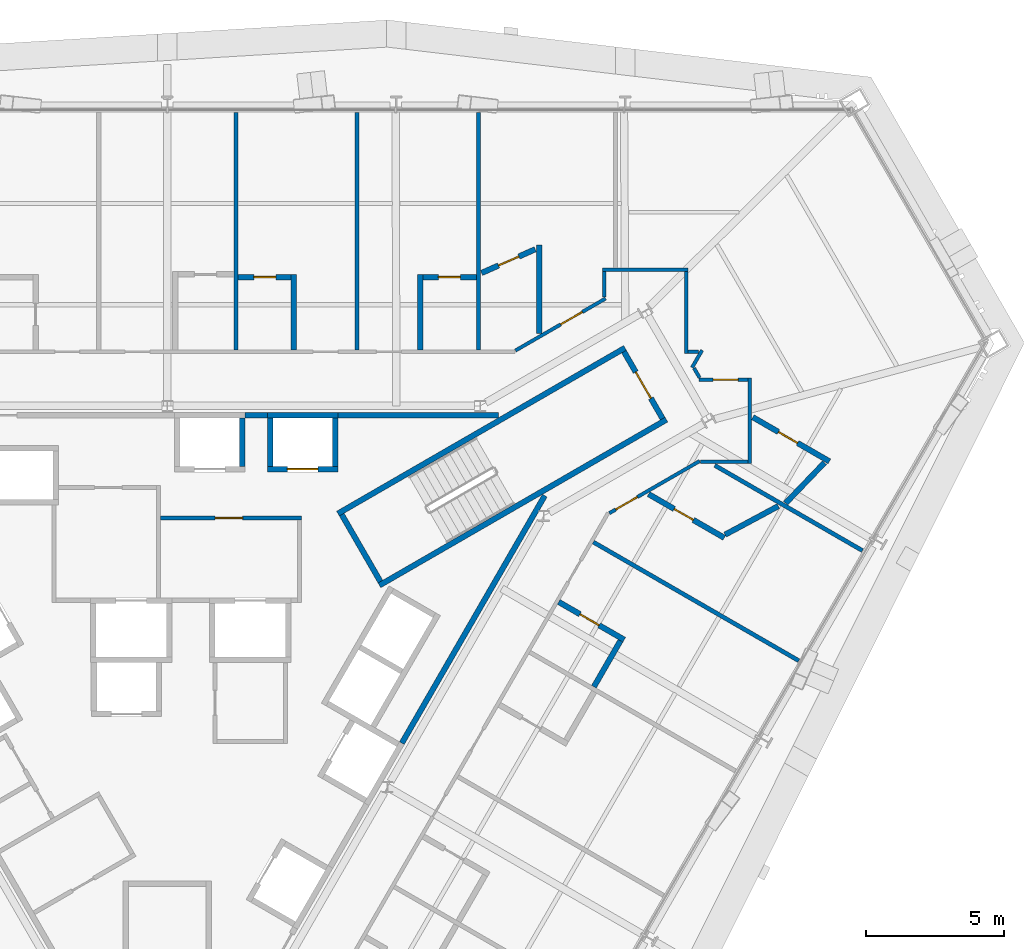
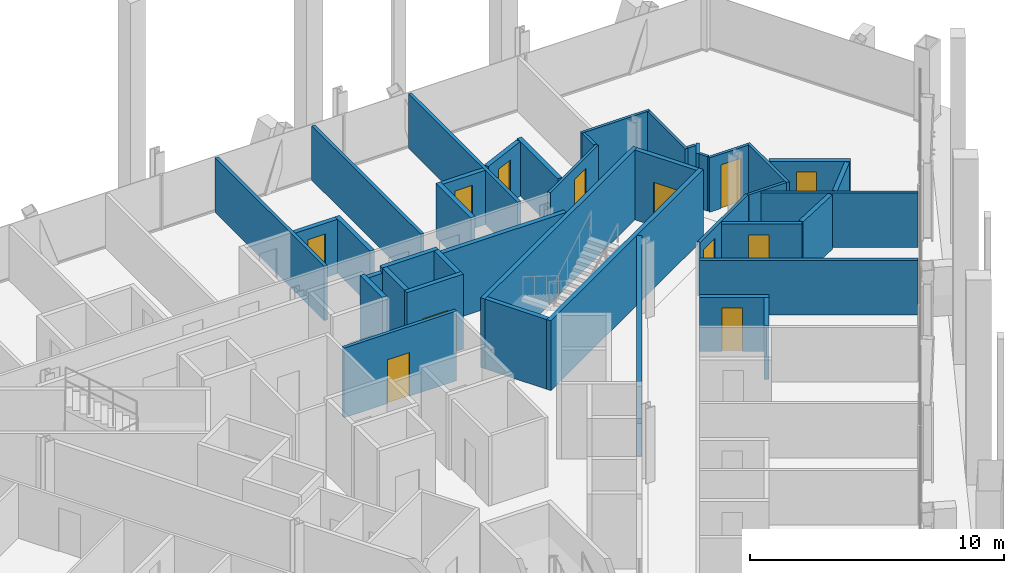
# One storey, part 14 of 17: 41 walls, 12 doors, 12 openings.
"""IFC4 building model written with IfcOpenShell, lengths in metres."""

import ifcopenshell
import ifcopenshell.guid

model = None  # the IFC model being written
_history = None  # IfcOwnerHistory: only IFC2X3 demands one
_inside = {}  # id of a spatial element -> (the spatial element, [elements in it])
_under = {}  # id of a project, library or spatial element -> (it, [spatial elements below it])
_declared = {}  # id of a project -> (the project, [libraries it declares])
_typed = {}  # id of a type object -> (the type object, [elements of that type])
_made_of = {}  # id of a material, layer set ... -> (it, [elements and type objects made of it])


def new_model(schema):
    """Start an empty IFC model of exactly this schema.

    Asked for "IFC4X3", IfcOpenShell would pick the latest addendum, in which some entities
    have other attributes; the version numbers below select the first issue.
    IFC2X3 requires an IfcOwnerHistory on every rooted entity: one is made here for all.
    """
    global model, _history
    if schema == "IFC4X3":
        model = ifcopenshell.file(schema_version=(4, 3, 0, 0))
    else:
        model = ifcopenshell.file(schema=schema)
    _inside.clear()
    _under.clear()
    _declared.clear()
    _typed.clear()
    _made_of.clear()
    _history = None
    if model.schema == "IFC2X3":
        org = make("IfcOrganization", Name="unknown")
        user = make(
            "IfcPersonAndOrganization",
            ThePerson=make("IfcPerson", FamilyName="unknown"),
            TheOrganization=org,
        )
        app = make(
            "IfcApplication",
            ApplicationDeveloper=org,
            Version="unknown",
            ApplicationFullName="unknown",
            ApplicationIdentifier="unknown",
        )
        _history = make(
            "IfcOwnerHistory",
            OwningUser=user,
            OwningApplication=app,
            ChangeAction="ADDED",
            CreationDate=0,
        )
    return model


def make(cls, **values):
    """One entity of the class cls with the attributes given. An attribute that is None is left unset."""
    return model.create_entity(
        cls, **{name: value for name, value in values.items() if value is not None}
    )


def rooted(cls, **values):
    """An entity with a GlobalId (a new one), such as an element, a storey or a relation."""
    return make(cls, GlobalId=ifcopenshell.guid.new(), OwnerHistory=_history, **values)


def si_unit(unit_type, name, prefix=None):
    """IfcSIUnit, for example si_unit("LENGTHUNIT", "METRE", prefix="MILLI")."""
    return make("IfcSIUnit", UnitType=unit_type, Prefix=prefix, Name=name)


def assignment(units):
    """IfcUnitAssignment: the units of a project."""
    return None if units is None else make("IfcUnitAssignment", Units=units)


def point(xyz):
    """IfcCartesianPoint."""
    return None if xyz is None else make("IfcCartesianPoint", Coordinates=xyz)


def direction(xyz):
    """IfcDirection."""
    return None if xyz is None else make("IfcDirection", DirectionRatios=xyz)


def frame(location, z_axis=None, x_axis=None):
    """IfcAxis2Placement3D, a coordinate frame: its origin and axes. An axis left out is left unset."""
    return make(
        "IfcAxis2Placement3D",
        Location=point(location),
        Axis=direction(z_axis),
        RefDirection=direction(x_axis),
    )


def frame_2d(location, x_axis=None):
    """IfcAxis2Placement2D, a coordinate frame in the plane: its origin and x axis."""
    return make(
        "IfcAxis2Placement2D", Location=point(location), RefDirection=direction(x_axis)
    )


def origin():
    """The frame at (0, 0, 0) with its axes left unset."""
    return frame((0.0, 0.0, 0.0))


def place(relative_to, where):
    """IfcLocalPlacement: puts the frame where relative to a parent placement (None: the world)."""
    return make(
        "IfcLocalPlacement", PlacementRelTo=relative_to, RelativePlacement=where
    )


def context(
    kind, dimensions, precision=None, world=None, true_north=None, identifier=None
):
    """IfcGeometricRepresentationContext, for example the 3D "Model" context."""
    return make(
        "IfcGeometricRepresentationContext",
        ContextIdentifier=identifier,
        ContextType=kind,
        CoordinateSpaceDimension=dimensions,
        Precision=precision,
        WorldCoordinateSystem=world,
        TrueNorth=true_north,
    )


def subcontext(parent, identifier, kind, view, scale=None):
    """IfcGeometricRepresentationSubContext, for example "Body" below "Model"."""
    return make(
        "IfcGeometricRepresentationSubContext",
        ContextIdentifier=identifier,
        ContextType=kind,
        ParentContext=parent,
        TargetScale=scale,
        TargetView=view,
    )


def project(units=None, contexts=None):
    """IfcProject with its units and contexts."""
    return rooted(
        "IfcProject",
        Name="project",
        RepresentationContexts=contexts,
        UnitsInContext=assignment(units),
    )


def spatial(cls, under=None, at=None, **own):
    """A site, building, storey or space (cls), placed at a placement, below another one or the project."""
    s = rooted(cls, ObjectPlacement=at, **own)
    if under is not None:
        _under.setdefault(under.id(), (under, []))[1].append(s)
    return s


def profile(cls, at=None, kind="AREA", **sizes):
    """A parametric profile (cls). Its sizes go by their IFC names, for example OverallWidth=200.0."""
    return make(cls, ProfileType=kind, Position=at, **sizes)


def rectangle(**sizes):
    """IfcRectangleProfileDef."""
    return profile("IfcRectangleProfileDef", **sizes)


def extrude(swept, where, along, depth):
    """IfcExtrudedAreaSolid: the profile swept, set in the frame where, extruded along a direction by depth."""
    return make(
        "IfcExtrudedAreaSolid",
        SweptArea=swept,
        Position=where,
        ExtrudedDirection=direction(along),
        Depth=depth,
    )


def shape(context_of_items, identifier, shape_type, items):
    """IfcShapeRepresentation: the items that make up one representation, for example the "Body"."""
    return make(
        "IfcShapeRepresentation",
        ContextOfItems=context_of_items,
        RepresentationIdentifier=identifier,
        RepresentationType=shape_type,
        Items=items,
    )


def material(Name=None, Category=None):
    """IfcMaterial."""
    return make("IfcMaterial", Name=Name, Category=Category)


def layer(
    of_material, thickness, ventilated=None, Name=None, Category=None, Priority=None
):
    """IfcMaterialLayer: one layer of a wall or slab, of a material (None: an air gap)."""
    return make(
        "IfcMaterialLayer",
        Material=of_material,
        LayerThickness=thickness,
        IsVentilated=ventilated,
        Name=Name,
        Category=Category,
        Priority=Priority,
    )


def layer_set(layers, Name=None):
    """IfcMaterialLayerSet."""
    return make("IfcMaterialLayerSet", MaterialLayers=layers, LayerSetName=Name)


def made_of(thing, what):
    """Note that an element or type object is made of a material, layer set ...; save() writes the relation."""
    if what is not None:
        _made_of.setdefault(what.id(), (what, []))[1].append(thing)
    return thing


def type_object(cls, material=None, **own):
    """A type object (cls), such as IfcWallType, which elements share."""
    return made_of(rooted(cls, **own), material)


def element(
    cls,
    number,
    at=None,
    inside=None,
    cuts=None,
    type_object=None,
    material=None,
    context=None,
    identifier="Body",
    shape_type=None,
    held_by="IfcProductDefinitionShape",
    body=None,
    shapes=None,
    **own,
):
    """One element of the class cls, such as IfcWall. Its Tag is "e" and its number.

    at: its placement. inside: the storey or other place that contains it. cuts: it is an
    opening in that element (IfcRelVoidsElement). A single representation is given by context,
    identifier, shape_type and body (its items); several are given by shapes. held_by: the class
    of the entity that holds the representations. save() writes the other relations.
    """
    e = rooted(cls, Tag="e%d" % number, ObjectPlacement=at, **own)
    if body is not None:
        shapes = [shape(context, identifier, shape_type, body)]
    if shapes is not None:
        e.Representation = make(held_by, Representations=shapes)
    if inside is not None:
        _inside.setdefault(inside.id(), (inside, []))[1].append(e)
    if cuts is not None:
        rooted(
            "IfcRelVoidsElement", RelatingBuildingElement=cuts, RelatedOpeningElement=e
        )
    if type_object is not None:
        _typed.setdefault(type_object.id(), (type_object, []))[1].append(e)
    return made_of(e, material)


def fill(opening, filler):
    """IfcRelFillsElement: the door or window that sits in an opening."""
    return rooted(
        "IfcRelFillsElement",
        RelatingOpeningElement=opening,
        RelatedBuildingElement=filler,
    )


def aggregate(whole, parts):
    """IfcRelAggregates: a whole, such as a stair, and the parts it consists of."""
    return rooted("IfcRelAggregates", RelatingObject=whole, RelatedObjects=parts)


def save(model, path):
    """Write the relations noted so far, then the file.

    IfcRelAggregates (storeys below a building ...), IfcRelContainedInSpatialStructure (elements
    in a storey), IfcRelDefinesByType, IfcRelAssociatesMaterial and IfcRelDeclares: one each for
    every whole, place, type object, material and project.
    """
    for whole, parts in _under.values():
        aggregate(whole, parts)
    for where, things in _inside.values():
        rooted(
            "IfcRelContainedInSpatialStructure",
            RelatedElements=things,
            RelatingStructure=where,
        )
    for kind, things in _typed.values():
        rooted("IfcRelDefinesByType", RelatedObjects=things, RelatingType=kind)
    for what, things in _made_of.values():
        rooted("IfcRelAssociatesMaterial", RelatedObjects=things, RelatingMaterial=what)
    for by, libraries in _declared.values():
        rooted("IfcRelDeclares", RelatingContext=by, RelatedDefinitions=libraries)
    model.write(path)


model = new_model("IFC4")

# Units and contexts
model_context = context("Model", 3, precision=1e-05, world=origin(), true_north=direction((0.0, 1.0)))
body_context = subcontext(model_context, "Body", "Model", "MODEL_VIEW")
ifc_project = project(units=[si_unit("LENGTHUNIT", "METRE"), si_unit("AREAUNIT", "SQUARE_METRE"), si_unit("VOLUMEUNIT", "CUBIC_METRE"), si_unit("PLANEANGLEUNIT", "RADIAN"), si_unit("MASSUNIT", "GRAM", prefix="KILO")], contexts=[model_context])

# Site, building, storey
site_placement = place(None, origin())
site = spatial("IfcSite", under=ifc_project, at=site_placement, CompositionType="ELEMENT")
building_placement = place(site_placement, origin())
building = spatial("IfcBuilding", under=site, at=building_placement, Name="Verrane Prism Tower", CompositionType="ELEMENT")
storey_placement = place(building_placement, frame((0.0, 0.0, 132.39990234375)))
storey = spatial("IfcBuildingStorey", under=building, at=storey_placement, Name="L32", CompositionType="ELEMENT", Elevation=132.39990234375)

# Walls
ifc_material_1 = material(Name="Gypsum board partition", Category="other")
ifc_layer_1 = layer(ifc_material_1, 0.199951171875)
ifc_layer_set_1 = layer_set([ifc_layer_1], Name="CW-200 core boundary wall 2 h")
wall_type_1 = type_object("IfcWallType", Name="CW-200 core boundary wall 2 h", PredefinedType="PARTITIONING", material=ifc_layer_set_1)
wall_1_placement = place(storey_placement, frame((2.81689453125, 8.860107421875, 0.0), z_axis=(0.0, 0.0, 1.0), x_axis=(1.0, 0.0, 0.0)))
element("IfcWall", 1, at=wall_1_placement, inside=storey, type_object=wall_type_1, Name="Core boundary wall CW3-004", PredefinedType="PARTITIONING", context=body_context, shape_type="SweptSolid", body=[
    extrude(rectangle(XDim=0.80615234375, YDim=0.199951171875, at=frame_2d((0.403076171875, 0.0))), origin(), (0.0, 0.0, 1.0), 3.35009765625),
])
wall_2_placement = place(storey_placement, frame((6.177001953125, 8.860107421875, 0.0), z_axis=(0.0, 0.0, 1.0), x_axis=(1.0, 0.0, 0.0)))
element("IfcWall", 2, at=wall_2_placement, inside=storey, type_object=wall_type_1, Name="Core boundary wall CW3-006", PredefinedType="PARTITIONING", context=body_context, shape_type="SweptSolid", body=[
    extrude(rectangle(XDim=5.81396484375, YDim=0.199951171875, at=frame_2d((2.906982421875, 0.0))), origin(), (0.0, 0.0, 1.0), 3.35009765625),
])
wall_3_placement = place(storey_placement, frame((8.491943359375, -3.011962890625, 0.0), z_axis=(0.0, 0.0, 1.0), x_axis=(0.499972957231, 0.866041016371, 0.0)))
element("IfcWall", 3, at=wall_3_placement, inside=storey, type_object=wall_type_1, Name="Core boundary wall CW3-007", PredefinedType="PARTITIONING", context=body_context, shape_type="SweptSolid", body=[
    extrude(rectangle(XDim=10.3486328125, YDim=0.199951171875, at=frame_2d((5.17431640625, 0.0))), origin(), (0.0, 0.0, 1.0), 3.35009765625),
])

# Wall, opening, door
ifc_material_2 = material(Name="Concrete C40/50", Category="concrete")
ifc_layer_2 = layer(ifc_material_2, 0.199951171875)
ifc_layer_set_2 = layer_set([ifc_layer_2], Name="CW-200 stair core wall concrete C40/50 3 h")
wall_type_2 = type_object("IfcWallType", Name="CW-200 stair core wall concrete C40/50 3 h", PredefinedType="PARTITIONING", material=ifc_layer_set_2)
wall_4_placement = place(storey_placement, frame((17.933837890625, 8.737548828125, 0.0), z_axis=(0.0, 0.0, 1.0), x_axis=(-0.49998411664, 0.866034573852, 0.0)))
wall_4 = element("IfcWall", 4, at=wall_4_placement, inside=storey, type_object=wall_type_2, Name="Stair 1 enclosure wall", PredefinedType="PARTITIONING", context=body_context, shape_type="SweptSolid", body=[
    extrude(rectangle(XDim=2.7998046875, YDim=0.199951171875, at=frame_2d((1.39990234375, 0.0))), origin(), (0.0, 0.0, 1.0), 3.35009765625),
])
opening_1_placement = place(wall_4_placement, frame((0.849853515625, 0.0, 0.0)))
opening_1 = element("IfcOpeningElement", 5, at=opening_1_placement, cuts=wall_4, Name="Opening D32500", PredefinedType="OPENING", context=body_context, shape_type="SweptSolid", body=[
    extrude(rectangle(XDim=1.10009765625, YDim=2.10009765625, at=frame_2d((0.550048828125, 1.050048828125))), frame((0.0, 0.10986328125, 0.0), z_axis=(0.0, -1.0, 0.0), x_axis=(1.0, 0.0, 0.0)), (0.0, 0.0, 1.0), 0.219970703125),
])
ifc_material_3 = material(Name="Timber veneered door leaf", Category="wood")
door_type_1 = type_object("IfcDoorType", Name="DR-1100x2100 FD90 single leaf stair", OperationType="NOTDEFINED", PredefinedType="DOOR", material=ifc_material_3)
door_1_placement = place(opening_1_placement, origin())
door_1 = element("IfcDoor", 6, at=door_1_placement, inside=storey, type_object=door_type_1, Name="Stair 1 door", OperationType="SINGLE_SWING_LEFT", OverallHeight=2.10009765625, OverallWidth=1.10009765625, PredefinedType="DOOR", context=body_context, shape_type="SweptSolid", body=[
    extrude(rectangle(XDim=1.10009765625, YDim=2.10009765625, at=frame_2d((0.550048828125, 1.050048828125))), frame((0.0, 0.02490234375, 0.0), z_axis=(0.0, -1.0, 0.0), x_axis=(1.0, 0.0, 0.0)), (0.0, 0.0, 1.0), 0.050048828125),
])
fill(opening_1, door_1)

# Walls
for number, where, z_axis, x_axis, name in (
    (7, (6.17822265625, 5.299072265625, 0.0), (0.0, 0.0, 1.0), (0.866026010844, 0.49999894854, 0.0), "Stair 1 enclosure wall"),
    (8, (7.67822265625, 2.700927734375, 0.0), (0.0, 0.0, 1.0), (0.866026010844, 0.49999894854, 0.0), "Stair 1 enclosure wall"),
):
    element("IfcWall", number, at=place(storey_placement, frame(where, z_axis=z_axis, x_axis=x_axis)), inside=storey, type_object=wall_type_2, Name=name, PredefinedType="PARTITIONING", context=body_context, shape_type="SweptSolid", body=[
        extrude(rectangle(XDim=12.0, YDim=0.199951171875, at=frame_2d((6.0, 0.0))), origin(), (0.0, 0.0, 1.0), 3.35009765625),
    ])
wall_5_placement = place(storey_placement, frame((7.71484375, 2.837646484375, 0.0), z_axis=(0.0, 0.0, 1.0), x_axis=(-0.500049511043, 0.865996816683, 0.0)))
element("IfcWall", 9, at=wall_5_placement, inside=storey, type_object=wall_type_2, Name="Stair 1 enclosure wall", PredefinedType="PARTITIONING", context=body_context, shape_type="SweptSolid", body=[
    extrude(rectangle(XDim=2.800048828125, YDim=0.199951171875, at=frame_2d((1.39990234375, 0.0))), origin(), (0.0, 0.0, 1.0), 3.35009765625),
])

# Wall, opening, door
ifc_material_4 = material(Name="Gypsum board shaft wall assembly", Category="other")
ifc_layer_3 = layer(ifc_material_4, 0.199951171875)
ifc_layer_set_3 = layer_set([ifc_layer_3], Name="HW-200 lift shaft wall 2 h")
wall_type_3 = type_object("IfcWallType", Name="HW-200 lift shaft wall 2 h", PredefinedType="PARTITIONING", material=ifc_layer_set_3)
wall_6_placement = place(storey_placement, frame((3.625, 6.909912109375, 0.0), z_axis=(0.0, 0.0, 1.0), x_axis=(1.0, 0.0, 0.0)))
wall_6 = element("IfcWall", 10, at=wall_6_placement, inside=storey, type_object=wall_type_3, Name="Lift shaft wall", PredefinedType="PARTITIONING", context=body_context, shape_type="SweptSolid", body=[
    extrude(rectangle(XDim=2.550048828125, YDim=0.199951171875, at=frame_2d((1.27490234375, 0.0))), origin(), (0.0, 0.0, 1.0), 3.60009765625),
])
opening_2_placement = place(wall_6_placement, frame((0.72509765625, 0.0, 0.0)))
opening_2 = element("IfcOpeningElement", 11, at=opening_2_placement, cuts=wall_6, Name="Opening D32505", PredefinedType="OPENING", context=body_context, shape_type="SweptSolid", body=[
    extrude(rectangle(XDim=1.10009765625, YDim=2.10009765625, at=frame_2d((0.550048828125, 1.050048828125))), frame((0.0, 0.10986328125, 0.0), z_axis=(0.0, -1.0, 0.0), x_axis=(1.0, 0.0, 0.0)), (0.0, 0.0, 1.0), 0.219970703125),
])
ifc_material_5 = material(Name="Stainless steel sliding landing door", Category="steel")
door_type_2 = type_object("IfcDoorType", Name="LD-1100x2100 lift landing door FD90 sliding", OperationType="NOTDEFINED", PredefinedType="DOOR", material=ifc_material_5)
door_2_placement = place(opening_2_placement, origin())
door_2 = element("IfcDoor", 12, at=door_2_placement, inside=storey, type_object=door_type_2, Name="Bank A lift 3 landing door", OperationType="SLIDING_TO_LEFT", OverallHeight=2.10009765625, OverallWidth=1.10009765625, PredefinedType="DOOR", context=body_context, shape_type="SweptSolid", body=[
    extrude(rectangle(XDim=1.10009765625, YDim=2.10009765625, at=frame_2d((0.550048828125, 1.050048828125))), frame((0.0, 0.02490234375, 0.0), z_axis=(0.0, -1.0, 0.0), x_axis=(1.0, 0.0, 0.0)), (0.0, 0.0, 1.0), 0.050048828125),
])
fill(opening_2, door_2)

# Walls
wall_7_placement = place(storey_placement, frame((3.625, 8.860107421875, 0.0), z_axis=(0.0, 0.0, 1.0), x_axis=(1.0, 0.0, 0.0)))
element("IfcWall", 13, at=wall_7_placement, inside=storey, type_object=wall_type_3, Name="Lift shaft wall", PredefinedType="PARTITIONING", context=body_context, shape_type="SweptSolid", body=[
    extrude(rectangle(XDim=2.550048828125, YDim=0.199951171875, at=frame_2d((1.27490234375, 0.0))), origin(), (0.0, 0.0, 1.0), 3.60009765625),
])
for number, where, z_axis, x_axis, name in (
    (14, (6.074951171875, 7.010009765625, 0.0), (0.0, 0.0, 1.0), (0.0, 1.0, 0.0), "Lift shaft wall"),
    (15, (3.72509765625, 7.010009765625, 0.0), (0.0, 0.0, 1.0), (0.0, 1.0, 0.0), "Lift shaft wall"),
    (16, (2.715087890625, 7.010009765625, 0.0), (0.0, 0.0, 1.0), (0.0, 1.0, 0.0), "Lift shaft wall"),
):
    element("IfcWall", number, at=place(storey_placement, frame(where, z_axis=z_axis, x_axis=x_axis)), inside=storey, type_object=wall_type_3, Name=name, PredefinedType="PARTITIONING", context=body_context, shape_type="SweptSolid", body=[
        extrude(rectangle(XDim=1.75, YDim=0.199951171875, at=frame_2d((0.875, 0.0))), origin(), (0.0, 0.0, 1.0), 3.60009765625),
    ])

# Wall, opening, door
ifc_material_6 = material(Name="Gypsum board partition", Category="other")
ifc_layer_4 = layer(ifc_material_6, 0.14990234375)
ifc_layer_set_4 = layer_set([ifc_layer_4], Name="LF-150 firefighting lobby wall 1 h")
wall_type_4 = type_object("IfcWallType", Name="LF-150 firefighting lobby wall 1 h", PredefinedType="PARTITIONING", material=ifc_layer_set_4)
wall_8_placement = place(storey_placement, frame((-0.2451171875, 5.139892578125, 0.0), z_axis=(0.0, 0.0, 1.0), x_axis=(1.0, 0.0, 0.0)))
wall_8 = element("IfcWall", 17, at=wall_8_placement, inside=storey, type_object=wall_type_4, Name="Firefighting lobby wall LF1-005", PredefinedType="PARTITIONING", context=body_context, shape_type="SweptSolid", body=[
    extrude(rectangle(XDim=5.110107421875, YDim=0.14990234375, at=frame_2d((2.55517578125, 0.0))), origin(), (0.0, 0.0, 1.0), 3.35009765625),
])
opening_3_placement = place(wall_8_placement, frame((1.97509765625, 0.0, 0.0)))
opening_3 = element("IfcOpeningElement", 18, at=opening_3_placement, cuts=wall_8, Name="Opening D32516", PredefinedType="OPENING", context=body_context, shape_type="SweptSolid", body=[
    extrude(rectangle(XDim=1.0, YDim=2.10009765625, at=frame_2d((0.5, 1.050048828125))), frame((0.0, 0.0849609375, 0.0), z_axis=(0.0, -1.0, 0.0), x_axis=(1.0, 0.0, 0.0)), (0.0, 0.0, 1.0), 0.169921875),
])
ifc_material_7 = material(Name="Timber veneered door leaf", Category="wood")
door_type_3 = type_object("IfcDoorType", Name="DR-1000x2100 FD60 single leaf firefighting lobby", OperationType="NOTDEFINED", PredefinedType="DOOR", material=ifc_material_7)
door_3_placement = place(opening_3_placement, origin())
door_3 = element("IfcDoor", 19, at=door_3_placement, inside=storey, type_object=door_type_3, Name="Firefighting lobby door D32516", OperationType="SINGLE_SWING_RIGHT", OverallHeight=2.10009765625, OverallWidth=1.0, PredefinedType="DOOR", context=body_context, shape_type="SweptSolid", body=[
    extrude(rectangle(XDim=1.0, YDim=2.10009765625, at=frame_2d((0.5, 1.050048828125))), frame((0.0, 0.02490234375, 0.0), z_axis=(0.0, -1.0, 0.0), x_axis=(1.0, 0.0, 0.0)), (0.0, 0.0, 1.0), 0.050048828125),
])
fill(opening_3, door_3)

ifc_material_8 = material(Name="Gypsum board partition", Category="other")
ifc_layer_5 = layer(ifc_material_8, 0.125)
ifc_layer_set_5 = layer_set([ifc_layer_5], Name="PW-125 corridor wall 1 h")
wall_type_5 = type_object("IfcWallType", Name="PW-125 corridor wall 1 h", PredefinedType="PARTITIONING", material=ifc_layer_set_5)
wall_9_placement = place(storey_placement, frame((12.604736328125, 11.203369140625, 0.0), z_axis=(0.0, 0.0, 1.0), x_axis=(0.866113281362, 0.499847760672, 0.0)))
wall_9 = element("IfcWall", 20, at=wall_9_placement, inside=storey, type_object=wall_type_5, Name="Corridor wall 074", PredefinedType="PARTITIONING", context=body_context, shape_type="SweptSolid", body=[
    extrude(rectangle(XDim=3.766845703125, YDim=0.125, at=frame_2d((1.88330078125, 0.0))), origin(), (0.0, 0.0, 1.0), 2.613037109375),
])
opening_4_placement = place(wall_9_placement, frame((1.889892578125, 0.0, 0.0)))
opening_4 = element("IfcOpeningElement", 21, at=opening_4_placement, cuts=wall_9, Name="Opening D32017", PredefinedType="OPENING", context=body_context, shape_type="SweptSolid", body=[
    extrude(rectangle(XDim=0.89990234375, YDim=2.10009765625, at=frame_2d((0.449951171875, 1.050048828125))), frame((0.0, 0.072509765625, 0.0), z_axis=(0.0, -1.0, 0.0), x_axis=(1.0, 0.0, 0.0)), (0.0, 0.0, 1.0), 0.14501953125),
])
ifc_material_9 = material(Name="Timber veneered door leaf", Category="wood")
door_type_4 = type_object("IfcDoorType", Name="DR-900x2100 FD20 single leaf unit", OperationType="NOTDEFINED", PredefinedType="DOOR", material=ifc_material_9)
door_4_placement = place(opening_4_placement, origin())
door_4 = element("IfcDoor", 22, at=door_4_placement, inside=storey, type_object=door_type_4, Name="Guest Room door", OperationType="SINGLE_SWING_LEFT", OverallHeight=2.10009765625, OverallWidth=0.89990234375, PredefinedType="DOOR", context=body_context, shape_type="SweptSolid", body=[
    extrude(rectangle(XDim=0.89990234375, YDim=2.10009765625, at=frame_2d((0.449951171875, 1.050048828125))), frame((0.0, 0.02490234375, 0.0), z_axis=(0.0, -1.0, 0.0), x_axis=(1.0, 0.0, 0.0)), (0.0, 0.0, 1.0), 0.050048828125),
])
fill(opening_4, door_4)

# Walls
wall_10_placement = place(storey_placement, frame((15.81298828125, 13.139892578125, 0.0), z_axis=(0.0, 0.0, 1.0), x_axis=(0.0, 1.0, 0.0)))
element("IfcWall", 23, at=wall_10_placement, inside=storey, type_object=wall_type_5, Name="Corridor wall 081", PredefinedType="PARTITIONING", context=body_context, shape_type="SweptSolid", body=[
    extrude(rectangle(XDim=0.922119140625, YDim=0.125, at=frame_2d((0.4609375, 0.0))), origin(), (0.0, 0.0, 1.0), 2.613037109375),
])
wall_11_placement = place(storey_placement, frame((15.75048828125, 14.126953125, 0.0), z_axis=(0.0, 0.0, 1.0), x_axis=(1.0, 0.0, 0.0)))
element("IfcWall", 24, at=wall_11_placement, inside=storey, type_object=wall_type_5, Name="Corridor wall 082", PredefinedType="PARTITIONING", context=body_context, shape_type="SweptSolid", body=[
    extrude(rectangle(XDim=3.09912109375, YDim=0.125, at=frame_2d((1.549560546875, 0.0))), origin(), (0.0, 0.0, 1.0), 2.613037109375),
])

# Wall, opening, door
wall_12_placement = place(storey_placement, frame((19.278076171875, 7.204345703125, 0.0), z_axis=(0.0, 0.0, 1.0), x_axis=(-0.866028547684, -0.499994554566, 0.0)))
wall_12 = element("IfcWall", 25, at=wall_12_placement, inside=storey, type_object=wall_type_5, Name="Corridor wall 083", PredefinedType="PARTITIONING", context=body_context, shape_type="SweptSolid", body=[
    extrude(rectangle(XDim=3.77978515625, YDim=0.125, at=frame_2d((1.889892578125, 0.0))), origin(), (0.0, 0.0, 1.0), 2.613037109375),
])
opening_5_placement = place(wall_12_placement, frame((2.61474609375, 0.0, 0.0)))
opening_5 = element("IfcOpeningElement", 26, at=opening_5_placement, cuts=wall_12, Name="Opening D32013", PredefinedType="OPENING", context=body_context, shape_type="SweptSolid", body=[
    extrude(rectangle(XDim=0.89990234375, YDim=2.10009765625, at=frame_2d((0.449951171875, 1.050048828125))), frame((0.0, 0.072509765625, 0.0), z_axis=(0.0, -1.0, 0.0), x_axis=(1.0, 0.0, 0.0)), (0.0, 0.0, 1.0), 0.14501953125),
])
door_5_placement = place(opening_5_placement, origin())
door_5 = element("IfcDoor", 27, at=door_5_placement, inside=storey, type_object=door_type_4, Name="Guest Room door", OperationType="SINGLE_SWING_RIGHT", OverallHeight=2.10009765625, OverallWidth=0.89990234375, PredefinedType="DOOR", context=body_context, shape_type="SweptSolid", body=[
    extrude(rectangle(XDim=0.89990234375, YDim=2.10009765625, at=frame_2d((0.449951171875, 1.050048828125))), frame((0.0, 0.02490234375, 0.0), z_axis=(0.0, -1.0, 0.0), x_axis=(1.0, 0.0, 0.0)), (0.0, 0.0, 1.0), 0.050048828125),
])
fill(opening_5, door_5)

# Walls
wall_13_placement = place(storey_placement, frame((18.787109375, 11.098388671875, 0.0), z_axis=(0.0, 0.0, 1.0), x_axis=(0.0, 1.0, 0.0)))
element("IfcWall", 28, at=wall_13_placement, inside=storey, type_object=wall_type_5, Name="Corridor wall 086", PredefinedType="PARTITIONING", context=body_context, shape_type="SweptSolid", body=[
    extrude(rectangle(XDim=2.963623046875, YDim=0.125, at=frame_2d((1.48193359375, 0.0))), origin(), (0.0, 0.0, 1.0), 2.613037109375),
])
wall_14_placement = place(storey_placement, frame((18.85205078125, 11.160888671875, 0.0), z_axis=(0.0, 0.0, 1.0), x_axis=(1.0, 0.0, 0.0)))
element("IfcWall", 29, at=wall_14_placement, inside=storey, type_object=wall_type_5, Name="Corridor wall 087", PredefinedType="PARTITIONING", context=body_context, shape_type="SweptSolid", body=[
    extrude(rectangle(XDim=0.3740234375, YDim=0.125, at=frame_2d((0.18701171875, 0.0))), origin(), (0.0, 0.0, 1.0), 2.613037109375),
])
wall_15_placement = place(storey_placement, frame((19.072509765625, 10.5654296875, 0.0), z_axis=(0.0, 0.0, 1.0), x_axis=(0.499899443193, -0.866083452501, 0.0)))
element("IfcWall", 30, at=wall_15_placement, inside=storey, type_object=wall_type_5, Name="Corridor wall 088", PredefinedType="PARTITIONING", context=body_context, shape_type="SweptSolid", body=[
    extrude(rectangle(XDim=0.39794921875, YDim=0.125, at=frame_2d((0.198974609375, 0.0))), origin(), (0.0, 0.0, 1.0), 2.613037109375),
])
wall_16_placement = place(storey_placement, frame((18.998779296875, 10.5849609375, 0.0), z_axis=(0.0, 0.0, 1.0), x_axis=(0.499712769023, 0.866191173169, 0.0)))
element("IfcWall", 31, at=wall_16_placement, inside=storey, type_object=wall_type_5, Name="Corridor wall 089", PredefinedType="PARTITIONING", context=body_context, shape_type="SweptSolid", body=[
    extrude(rectangle(XDim=0.7275390625, YDim=0.125, at=frame_2d((0.36376953125, 0.0))), origin(), (0.0, 0.0, 1.0), 2.613037109375),
])
wall_17_placement = place(storey_placement, frame((19.30908203125, 7.173095703125, 0.0), z_axis=(0.0, 0.0, 1.0), x_axis=(1.0, 0.0, 0.0)))
element("IfcWall", 32, at=wall_17_placement, inside=storey, type_object=wall_type_5, Name="Corridor wall 090", PredefinedType="PARTITIONING", context=body_context, shape_type="SweptSolid", body=[
    extrude(rectangle(XDim=1.712890625, YDim=0.125, at=frame_2d((0.8564453125, 0.0))), origin(), (0.0, 0.0, 1.0), 2.613037109375),
])

# Wall, opening, door
wall_18_placement = place(storey_placement, frame((19.25146484375, 10.14697265625, 0.0), z_axis=(0.0, 0.0, 1.0), x_axis=(1.0, 0.0, 0.0)))
wall_18 = element("IfcWall", 33, at=wall_18_placement, inside=storey, type_object=wall_type_5, Name="Corridor wall 091", PredefinedType="PARTITIONING", context=body_context, shape_type="SweptSolid", body=[
    extrude(rectangle(XDim=1.7705078125, YDim=0.125, at=frame_2d((0.88525390625, 0.0))), origin(), (0.0, 0.0, 1.0), 2.613037109375),
])
opening_6_placement = place(wall_18_placement, frame((0.512451171875, 0.0, 0.0)))
opening_6 = element("IfcOpeningElement", 34, at=opening_6_placement, cuts=wall_18, Name="Opening D32015", PredefinedType="OPENING", context=body_context, shape_type="SweptSolid", body=[
    extrude(rectangle(XDim=0.89990234375, YDim=2.10009765625, at=frame_2d((0.449951171875, 1.050048828125))), frame((0.0, 0.072509765625, 0.0), z_axis=(0.0, -1.0, 0.0), x_axis=(1.0, 0.0, 0.0)), (0.0, 0.0, 1.0), 0.14501953125),
])
door_6_placement = place(opening_6_placement, origin())
door_6 = element("IfcDoor", 35, at=door_6_placement, inside=storey, type_object=door_type_4, Name="Corner Suite door", OperationType="SINGLE_SWING_LEFT", OverallHeight=2.10009765625, OverallWidth=0.89990234375, PredefinedType="DOOR", context=body_context, shape_type="SweptSolid", body=[
    extrude(rectangle(XDim=0.89990234375, YDim=2.10009765625, at=frame_2d((0.449951171875, 1.050048828125))), frame((0.0, 0.02490234375, 0.0), z_axis=(0.0, -1.0, 0.0), x_axis=(1.0, 0.0, 0.0)), (0.0, 0.0, 1.0), 0.050048828125),
])
fill(opening_6, door_6)

# Walls
wall_19_placement = place(storey_placement, frame((21.0869140625, 7.110595703125, 0.0), z_axis=(0.0, 0.0, 1.0), x_axis=(0.0, 1.0, 0.0)))
element("IfcWall", 36, at=wall_19_placement, inside=storey, type_object=wall_type_5, Name="Corridor wall 094", PredefinedType="PARTITIONING", context=body_context, shape_type="SweptSolid", body=[
    extrude(rectangle(XDim=3.098876953125, YDim=0.125, at=frame_2d((1.54931640625, 0.0))), origin(), (0.0, 0.0, 1.0), 2.613037109375),
])
ifc_material_10 = material(Name="Gypsum board partition", Category="other")
ifc_layer_6 = layer(ifc_material_10, 0.14990234375)
ifc_layer_set_6 = layer_set([ifc_layer_6], Name="PW-150 demising wall 1 h")
wall_type_6 = type_object("IfcWallType", Name="PW-150 demising wall 1 h", PredefinedType="PARTITIONING", material=ifc_layer_set_6)
for number, where, z_axis, x_axis, name in (
    (37, (2.48193359375, 11.223388671875, 0.0), (0.0, 0.0, 1.0), (0.0, 1.0, 0.0), "Demising wall 050"),
    (38, (6.8720703125, 11.223388671875, 0.0), (0.0, 0.0, 1.0), (0.0, 1.0, 0.0), "Demising wall 062"),
    (39, (11.261962890625, 11.223388671875, 0.0), (0.0, 0.0, 1.0), (0.0, 1.0, 0.0), "Demising wall 071"),
):
    element("IfcWall", number, at=place(storey_placement, frame(where, z_axis=z_axis, x_axis=x_axis)), inside=storey, type_object=wall_type_6, Name=name, PredefinedType="PARTITIONING", context=body_context, shape_type="SweptSolid", body=[
        extrude(rectangle(XDim=8.591552734375, YDim=0.14990234375, at=frame_2d((4.2958984375, 0.0))), origin(), (0.0, 0.0, 1.0), 2.613037109375),
    ])
wall_20_placement = place(storey_placement, frame((15.424072265625, 4.267822265625, 0.0), z_axis=(0.0, 0.0, 1.0), x_axis=(0.866022320763, -0.500005339912, 0.0)))
element("IfcWall", 40, at=wall_20_placement, inside=storey, type_object=wall_type_6, Name="Demising wall 079", PredefinedType="PARTITIONING", context=body_context, shape_type="SweptSolid", body=[
    extrude(rectangle(XDim=8.59130859375, YDim=0.14990234375, at=frame_2d((4.295654296875, 0.0))), origin(), (0.0, 0.0, 1.0), 2.613037109375),
])
wall_21_placement = place(storey_placement, frame((19.82177734375, 7.045654296875, 0.0), z_axis=(0.0, 0.0, 1.0), x_axis=(0.866041323853, -0.499972424619, 0.0)))
element("IfcWall", 41, at=wall_21_placement, inside=storey, type_object=wall_type_6, Name="Demising wall 092", PredefinedType="PARTITIONING", context=body_context, shape_type="SweptSolid", body=[
    extrude(rectangle(XDim=6.171630859375, YDim=0.14990234375, at=frame_2d((3.0859375, 0.0))), origin(), (0.0, 0.0, 1.0), 2.613037109375),
])

# Wall, opening, door
ifc_material_11 = material(Name="Gypsum board partition", Category="other")
ifc_layer_7 = layer(ifc_material_11, 0.199951171875)
ifc_layer_set_7 = layer_set([ifc_layer_7], Name="PW-200 plumbing wall")
wall_type_7 = type_object("IfcWallType", Name="PW-200 plumbing wall", PredefinedType="PARTITIONING", material=ifc_layer_set_7)
wall_22_placement = place(storey_placement, frame((4.48193359375, 13.861083984375, 0.0), z_axis=(0.0, 0.0, 1.0), x_axis=(-1.0, 0.0, 0.0)))
wall_22 = element("IfcWall", 42, at=wall_22_placement, inside=storey, type_object=wall_type_7, Name="Plumbing wall 051", PredefinedType="PARTITIONING", context=body_context, shape_type="SweptSolid", body=[
    extrude(rectangle(XDim=1.925048828125, YDim=0.199951171875, at=frame_2d((0.96240234375, 0.0))), origin(), (0.0, 0.0, 1.0), 2.613037109375),
])
opening_7_placement = place(wall_22_placement, frame((0.550048828125, 0.0, 0.0)))
opening_7 = element("IfcOpeningElement", 43, at=opening_7_placement, cuts=wall_22, Name="Opening D32022", PredefinedType="OPENING", context=body_context, shape_type="SweptSolid", body=[
    extrude(rectangle(XDim=0.800048828125, YDim=2.10009765625, at=frame_2d((0.39990234375, 1.050048828125))), frame((0.0, 0.10986328125, 0.0), z_axis=(0.0, -1.0, 0.0), x_axis=(1.0, 0.0, 0.0)), (0.0, 0.0, 1.0), 0.219970703125),
])
ifc_material_12 = material(Name="Timber veneered door leaf", Category="wood")
door_type_5 = type_object("IfcDoorType", Name="DR-800x2100 single leaf bath", OperationType="NOTDEFINED", PredefinedType="DOOR", material=ifc_material_12)
door_7_placement = place(opening_7_placement, origin())
door_7 = element("IfcDoor", 44, at=door_7_placement, inside=storey, type_object=door_type_5, Name="En-Suite door", OperationType="SINGLE_SWING_LEFT", OverallHeight=2.10009765625, OverallWidth=0.800048828125, PredefinedType="DOOR", context=body_context, shape_type="SweptSolid", body=[
    extrude(rectangle(XDim=0.800048828125, YDim=2.10009765625, at=frame_2d((0.39990234375, 1.050048828125))), frame((0.0, 0.02490234375, 0.0), z_axis=(0.0, -1.0, 0.0), x_axis=(1.0, 0.0, 0.0)), (0.0, 0.0, 1.0), 0.050048828125),
])
fill(opening_7, door_7)

# Walls
for number, where, z_axis, x_axis, name in (
    (45, (4.58203125, 11.223388671875, 0.0), (0.0, 0.0, 1.0), (0.0, 1.0, 0.0), "Plumbing wall 058"),
    (46, (9.162109375, 11.223388671875, 0.0), (0.0, 0.0, 1.0), (0.0, 1.0, 0.0), "Plumbing wall 065"),
):
    element("IfcWall", number, at=place(storey_placement, frame(where, z_axis=z_axis, x_axis=x_axis)), inside=storey, type_object=wall_type_7, Name=name, PredefinedType="PARTITIONING", context=body_context, shape_type="SweptSolid", body=[
        extrude(rectangle(XDim=2.737548828125, YDim=0.199951171875, at=frame_2d((1.36865234375, 0.0))), origin(), (0.0, 0.0, 1.0), 2.613037109375),
    ])

# Wall, opening, door
wall_23_placement = place(storey_placement, frame((11.18701171875, 13.861083984375, 0.0), z_axis=(0.0, 0.0, 1.0), x_axis=(-1.0, 0.0, 0.0)))
wall_23 = element("IfcWall", 47, at=wall_23_placement, inside=storey, type_object=wall_type_7, Name="Plumbing wall 066", PredefinedType="PARTITIONING", context=body_context, shape_type="SweptSolid", body=[
    extrude(rectangle(XDim=1.925048828125, YDim=0.199951171875, at=frame_2d((0.96240234375, 0.0))), origin(), (0.0, 0.0, 1.0), 2.613037109375),
])
opening_8_placement = place(wall_23_placement, frame((0.574951171875, 0.0, 0.0)))
opening_8 = element("IfcOpeningElement", 48, at=opening_8_placement, cuts=wall_23, Name="Opening D32020", PredefinedType="OPENING", context=body_context, shape_type="SweptSolid", body=[
    extrude(rectangle(XDim=0.800048828125, YDim=2.10009765625, at=frame_2d((0.39990234375, 1.050048828125))), frame((0.0, 0.10986328125, 0.0), z_axis=(0.0, -1.0, 0.0), x_axis=(1.0, 0.0, 0.0)), (0.0, 0.0, 1.0), 0.219970703125),
])
door_8_placement = place(opening_8_placement, origin())
door_8 = element("IfcDoor", 49, at=door_8_placement, inside=storey, type_object=door_type_5, Name="En-Suite door", OperationType="SINGLE_SWING_LEFT", OverallHeight=2.10009765625, OverallWidth=0.800048828125, PredefinedType="DOOR", context=body_context, shape_type="SweptSolid", body=[
    extrude(rectangle(XDim=0.800048828125, YDim=2.10009765625, at=frame_2d((0.39990234375, 1.050048828125))), frame((0.0, 0.02490234375, 0.0), z_axis=(0.0, -1.0, 0.0), x_axis=(1.0, 0.0, 0.0)), (0.0, 0.0, 1.0), 0.050048828125),
])
fill(opening_8, door_8)

wall_24_placement = place(storey_placement, frame((13.3203125, 14.869384765625, 0.0), z_axis=(0.0, 0.0, 1.0), x_axis=(-0.914870345188, -0.403747757263, 0.0)))
wall_24 = element("IfcWall", 50, at=wall_24_placement, inside=storey, type_object=wall_type_7, Name="Plumbing wall 072", PredefinedType="PARTITIONING", context=body_context, shape_type="SweptSolid", body=[
    extrude(rectangle(XDim=2.123779296875, YDim=0.199951171875, at=frame_2d((1.06201171875, 0.0))), origin(), (0.0, 0.0, 1.0), 2.613037109375),
])
opening_9_placement = place(wall_24_placement, frame((0.649658203125, 0.0, 0.0)))
opening_9 = element("IfcOpeningElement", 51, at=opening_9_placement, cuts=wall_24, Name="Opening D32018", PredefinedType="OPENING", context=body_context, shape_type="SweptSolid", body=[
    extrude(rectangle(XDim=0.800048828125, YDim=2.10009765625, at=frame_2d((0.39990234375, 1.050048828125))), frame((0.0, 0.10986328125, 0.0), z_axis=(0.0, -1.0, 0.0), x_axis=(1.0, 0.0, 0.0)), (0.0, 0.0, 1.0), 0.219970703125),
])
door_9_placement = place(opening_9_placement, origin())
door_9 = element("IfcDoor", 52, at=door_9_placement, inside=storey, type_object=door_type_5, Name="En-Suite door", OperationType="SINGLE_SWING_LEFT", OverallHeight=2.10009765625, OverallWidth=0.800048828125, PredefinedType="DOOR", context=body_context, shape_type="SweptSolid", body=[
    extrude(rectangle(XDim=0.800048828125, YDim=2.10009765625, at=frame_2d((0.39990234375, 1.050048828125))), frame((0.0, 0.02490234375, 0.0), z_axis=(0.0, -1.0, 0.0), x_axis=(1.0, 0.0, 0.0)), (0.0, 0.0, 1.0), 0.050048828125),
])
fill(opening_9, door_9)

# Wall
wall_25_placement = place(storey_placement, frame((13.4619140625, 11.828857421875, 0.0), z_axis=(0.0, 0.0, 1.0), x_axis=(0.0, 1.0, 0.0)))
element("IfcWall", 53, at=wall_25_placement, inside=storey, type_object=wall_type_7, Name="Plumbing wall 076", PredefinedType="PARTITIONING", context=body_context, shape_type="SweptSolid", body=[
    extrude(rectangle(XDim=3.203125, YDim=0.199951171875, at=frame_2d((1.6015625, 0.0))), origin(), (0.0, 0.0, 1.0), 2.613037109375),
])

# Wall, opening, door
wall_26_placement = place(storey_placement, frame((16.54248046875, 0.73095703125, 0.0), z_axis=(0.0, 0.0, 1.0), x_axis=(-0.86596722502, 0.50010075504, 0.0)))
wall_26 = element("IfcWall", 54, at=wall_26_placement, inside=storey, type_object=wall_type_7, Name="Plumbing wall 077", PredefinedType="PARTITIONING", context=body_context, shape_type="SweptSolid", body=[
    extrude(rectangle(XDim=2.7373046875, YDim=0.199951171875, at=frame_2d((1.36865234375, 0.0))), origin(), (0.0, 0.0, 1.0), 2.613037109375),
])
opening_10_placement = place(wall_26_placement, frame((1.0498046875, 0.0, 0.0)))
opening_10 = element("IfcOpeningElement", 55, at=opening_10_placement, cuts=wall_26, Name="Opening D32012", PredefinedType="OPENING", context=body_context, shape_type="SweptSolid", body=[
    extrude(rectangle(XDim=0.800048828125, YDim=2.10009765625, at=frame_2d((0.39990234375, 1.050048828125))), frame((0.0, 0.10986328125, 0.0), z_axis=(0.0, -1.0, 0.0), x_axis=(1.0, 0.0, 0.0)), (0.0, 0.0, 1.0), 0.219970703125),
])
door_10_placement = place(opening_10_placement, origin())
door_10 = element("IfcDoor", 56, at=door_10_placement, inside=storey, type_object=door_type_5, Name="En-Suite door", OperationType="SINGLE_SWING_LEFT", OverallHeight=2.10009765625, OverallWidth=0.800048828125, PredefinedType="DOOR", context=body_context, shape_type="SweptSolid", body=[
    extrude(rectangle(XDim=0.800048828125, YDim=2.10009765625, at=frame_2d((0.39990234375, 1.050048828125))), frame((0.0, 0.02490234375, 0.0), z_axis=(0.0, -1.0, 0.0), x_axis=(1.0, 0.0, 0.0)), (0.0, 0.0, 1.0), 0.050048828125),
])
fill(opening_10, door_10)

# Wall
wall_27_placement = place(storey_placement, frame((15.446044921875, -0.96875, 0.0), z_axis=(0.0, 0.0, 1.0), x_axis=(0.499913221443, 0.866075499611, 0.0)))
element("IfcWall", 57, at=wall_27_placement, inside=storey, type_object=wall_type_7, Name="Plumbing wall 080", PredefinedType="PARTITIONING", context=body_context, shape_type="SweptSolid", body=[
    extrude(rectangle(XDim=1.920166015625, YDim=0.199951171875, at=frame_2d((0.9599609375, 0.0))), origin(), (0.0, 0.0, 1.0), 2.613037109375),
])

# Wall, opening, door
wall_28_placement = place(storey_placement, frame((17.424560546875, 6.004150390625, 0.0), z_axis=(0.0, 0.0, 1.0), x_axis=(0.866145753309, -0.499791490549, 0.0)))
wall_28 = element("IfcWall", 58, at=wall_28_placement, inside=storey, type_object=wall_type_7, Name="Plumbing wall 085", PredefinedType="PARTITIONING", context=body_context, shape_type="SweptSolid", body=[
    extrude(rectangle(XDim=3.163330078125, YDim=0.199951171875, at=frame_2d((1.58154296875, 0.0))), origin(), (0.0, 0.0, 1.0), 2.613037109375),
])
opening_11_placement = place(wall_28_placement, frame((1.070068359375, 0.0, 0.0)))
opening_11 = element("IfcOpeningElement", 59, at=opening_11_placement, cuts=wall_28, Name="Opening D32014", PredefinedType="OPENING", context=body_context, shape_type="SweptSolid", body=[
    extrude(rectangle(XDim=0.800048828125, YDim=2.10009765625, at=frame_2d((0.39990234375, 1.050048828125))), frame((0.0, 0.10986328125, 0.0), z_axis=(0.0, -1.0, 0.0), x_axis=(1.0, 0.0, 0.0)), (0.0, 0.0, 1.0), 0.219970703125),
])
door_11_placement = place(opening_11_placement, origin())
door_11 = element("IfcDoor", 60, at=door_11_placement, inside=storey, type_object=door_type_5, Name="En-Suite door", OperationType="SINGLE_SWING_RIGHT", OverallHeight=2.10009765625, OverallWidth=0.800048828125, PredefinedType="DOOR", context=body_context, shape_type="SweptSolid", body=[
    extrude(rectangle(XDim=0.800048828125, YDim=2.10009765625, at=frame_2d((0.39990234375, 1.050048828125))), frame((0.0, 0.02490234375, 0.0), z_axis=(0.0, -1.0, 0.0), x_axis=(1.0, 0.0, 0.0)), (0.0, 0.0, 1.0), 0.050048828125),
])
fill(opening_11, door_11)

# Wall
wall_29_placement = place(storey_placement, frame((20.197021484375, 4.536865234375, 0.0), z_axis=(0.0, 0.0, 1.0), x_axis=(0.881162538645, 0.472813473253, 0.0)))
element("IfcWall", 61, at=wall_29_placement, inside=storey, type_object=wall_type_7, Name="Plumbing wall 093", PredefinedType="PARTITIONING", context=body_context, shape_type="SweptSolid", body=[
    extrude(rectangle(XDim=2.185302734375, YDim=0.199951171875, at=frame_2d((1.0927734375, 0.0))), origin(), (0.0, 0.0, 1.0), 2.613037109375),
])

# Wall, opening, door
wall_30_placement = place(storey_placement, frame((23.9736328125, 7.18896484375, 0.0), z_axis=(0.0, 0.0, 1.0), x_axis=(-0.866105631149, 0.499861016376, 0.0)))
wall_30 = element("IfcWall", 62, at=wall_30_placement, inside=storey, type_object=wall_type_7, Name="Plumbing wall 095", PredefinedType="PARTITIONING", context=body_context, shape_type="SweptSolid", body=[
    extrude(rectangle(XDim=3.203125, YDim=0.199951171875, at=frame_2d((1.6015625, 0.0))), origin(), (0.0, 0.0, 1.0), 2.613037109375),
])
opening_12_placement = place(wall_30_placement, frame((1.332763671875, 0.0, 0.0)))
opening_12 = element("IfcOpeningElement", 63, at=opening_12_placement, cuts=wall_30, Name="Opening D32016", PredefinedType="OPENING", context=body_context, shape_type="SweptSolid", body=[
    extrude(rectangle(XDim=0.800048828125, YDim=2.10009765625, at=frame_2d((0.39990234375, 1.050048828125))), frame((0.0, 0.10986328125, 0.0), z_axis=(0.0, -1.0, 0.0), x_axis=(1.0, 0.0, 0.0)), (0.0, 0.0, 1.0), 0.219970703125),
])
door_12_placement = place(opening_12_placement, origin())
door_12 = element("IfcDoor", 64, at=door_12_placement, inside=storey, type_object=door_type_5, Name="En-Suite door", OperationType="SINGLE_SWING_LEFT", OverallHeight=2.10009765625, OverallWidth=0.800048828125, PredefinedType="DOOR", context=body_context, shape_type="SweptSolid", body=[
    extrude(rectangle(XDim=0.800048828125, YDim=2.10009765625, at=frame_2d((0.39990234375, 1.050048828125))), frame((0.0, 0.02490234375, 0.0), z_axis=(0.0, -1.0, 0.0), x_axis=(1.0, 0.0, 0.0)), (0.0, 0.0, 1.0), 0.050048828125),
])
fill(opening_12, door_12)

# Wall
wall_31_placement = place(storey_placement, frame((22.388427734375, 5.677490234375, 0.0), z_axis=(0.0, 0.0, 1.0), x_axis=(0.692374421384, 0.721538398572, 0.0)))
element("IfcWall", 65, at=wall_31_placement, inside=storey, type_object=wall_type_7, Name="Plumbing wall 096", PredefinedType="PARTITIONING", context=body_context, shape_type="SweptSolid", body=[
    extrude(rectangle(XDim=2.0341796875, YDim=0.199951171875, at=frame_2d((1.01708984375, 0.0))), origin(), (0.0, 0.0, 1.0), 2.613037109375),
])

save(model, "model.ifc")
